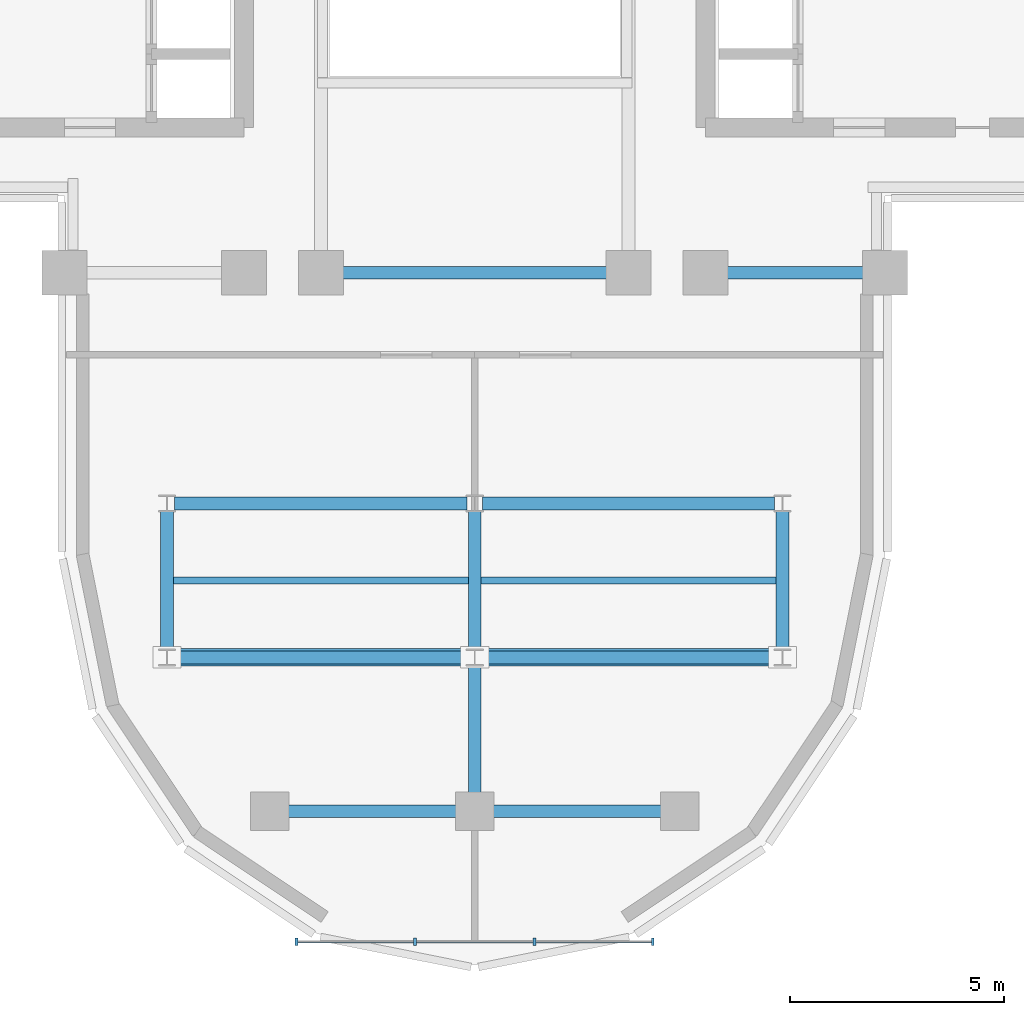
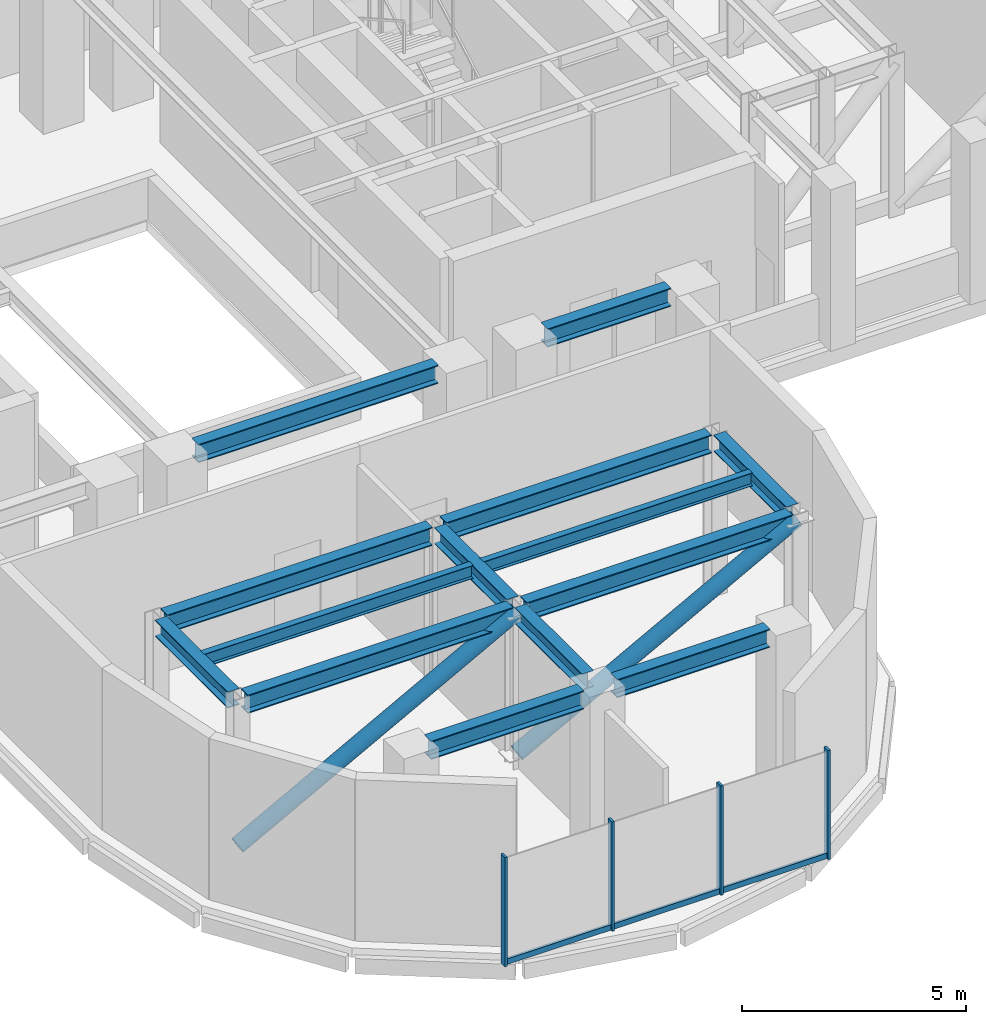
# One storey, part 2 of 11: 14 beams, 9 members, 1 element without a shape of its own.
"""IFC4 building model written with IfcOpenShell, lengths in metres."""

from ifc_helpers import new_model, si_unit, direction, frame, origin, origin_2d, place, context, subcontext, project, spatial, rectangle, hollow_circle, i_section, extrude, source, transform, mapped, material, material_profile, profile_set, type_object, element, aggregate, save


model = new_model("IFC4")

# Units and contexts
model_context = context("Model", 3, precision=1e-05, world=origin(), true_north=direction((0.0, 1.0)))
body_context = subcontext(model_context, "Body", "Model", "MODEL_VIEW")
ifc_project = project(units=[si_unit("LENGTHUNIT", "METRE"), si_unit("AREAUNIT", "SQUARE_METRE"), si_unit("VOLUMEUNIT", "CUBIC_METRE"), si_unit("PLANEANGLEUNIT", "RADIAN"), si_unit("MASSUNIT", "GRAM", prefix="KILO")], contexts=[model_context])

# Site, building, storey
site_placement = place(None, origin())
site = spatial("IfcSite", under=ifc_project, at=site_placement, CompositionType="ELEMENT")
building_placement = place(site_placement, origin())
building = spatial("IfcBuilding", under=site, at=building_placement, Name="Keilestroom Media Tower", CompositionType="ELEMENT")
storey_placement = place(building_placement, frame((0.0, 0.0, 151.60009765625)))
storey = spatial("IfcBuildingStorey", under=building, at=storey_placement, Name="L41", CompositionType="ELEMENT", Elevation=151.60009765625)

# Beams
ifc_material_1 = material(Name="Steel S355", Category="steel")
ifc_material_profile_1 = material_profile(ifc_material_1, i_section(OverallWidth=0.169921875, OverallDepth=0.360107421875, WebThickness=0.008056640625, FlangeThickness=0.0126953125, at=origin_2d()), Name="IPE 360")
ifc_profile_set_1 = profile_set([ifc_material_profile_1], Name="Steel S355")
beam_type_1 = type_object("IfcBeamType", Name="Secondary-Floor-Joist-IPE-360", PredefinedType="JOIST", material=ifc_profile_set_1)
shared_shape_1 = source(origin(), body_context, "Body", "SweptSolid", [
    extrude(i_section(OverallWidth=0.169921875, OverallDepth=0.360107421875, WebThickness=0.008056640625, FlangeThickness=0.0126953125, at=origin_2d()), origin(), (0.0, 0.0, 1.0), 6.940185546875),
])
for number, where, z_axis, x_axis, name in (
    (1, (-7.070068359375, -16.199951171875, 4.219970703125), (1.0, 0.0, 0.0), (0.0, 1.0, 0.0), "L41 Beam BJ-5 JST-L41-055"),
    (2, (0.1298828125, -16.199951171875, 4.219970703125), (1.0, 0.0, 0.0), (0.0, 1.0, 0.0), "L41 Beam BJ-5 JST-L41-056"),
):
    element("IfcBeam", number, at=place(storey_placement, frame(where, z_axis=z_axis, x_axis=x_axis)), inside=storey, type_object=beam_type_1, Name=name, PredefinedType="JOIST", context=body_context, shape_type="MappedRepresentation", body=[
        mapped(shared_shape_1, transform((0.0, 0.0, 0.0), x_axis=(1.0, 0.0, 0.0), y_axis=(0.0, 1.0, 0.0), z_axis=(0.0, 0.0, 1.0), scale=1.0)),
    ])
ifc_material_profile_2 = material_profile(ifc_material_1, i_section(OverallWidth=0.300048828125, OverallDepth=0.5, WebThickness=0.012451171875, FlangeThickness=0.028076171875, at=origin_2d()), Name="HEB 500")
ifc_profile_set_2 = profile_set([ifc_material_profile_2], Name="Steel S355")
beam_type_2 = type_object("IfcBeamType", Name="Primary-Structural-Girder-HEB-500", PredefinedType="BEAM", material=ifc_profile_set_2)
shared_shape_2 = source(origin(), body_context, "Body", "SweptSolid", [
    extrude(i_section(OverallWidth=0.300048828125, OverallDepth=0.5, WebThickness=0.012451171875, FlangeThickness=0.028076171875, at=origin_2d()), origin(), (0.0, 0.0, 1.0), 6.839111328125),
])
for number, where, z_axis, x_axis, name in (
    (3, (-7.01953125, -18.0, 4.14990234375), (1.0, 0.0, 0.0), (0.0, 1.0, 0.0), "L41 Beam BG-6 BM-L41-EW-003"),
    (4, (0.180419921875, -18.0, 4.14990234375), (1.0, 0.0, 0.0), (0.0, 1.0, 0.0), "L41 Beam BG-6 BM-L41-EW-004"),
    (5, (-7.01953125, -14.39990234375, 4.14990234375), (1.0, 0.0, 0.0), (0.0, 1.0, 0.0), "L41 Beam BG-6 BM-L41-EW-005"),
    (6, (0.180419921875, -14.39990234375, 4.14990234375), (1.0, 0.0, 0.0), (0.0, 1.0, 0.0), "L41 Beam BG-6 BM-L41-EW-006"),
):
    element("IfcBeam", number, at=place(storey_placement, frame(where, z_axis=z_axis, x_axis=x_axis)), inside=storey, type_object=beam_type_2, Name=name, PredefinedType="BEAM", context=body_context, shape_type="MappedRepresentation", body=[
        mapped(shared_shape_2, transform((0.0, 0.0, 0.0), x_axis=(1.0, 0.0, 0.0), y_axis=(0.0, 1.0, 0.0), z_axis=(0.0, 0.0, 1.0), scale=1.0)),
    ])
shared_shape_3 = source(origin(), body_context, "Body", "SweptSolid", [
    extrude(i_section(OverallWidth=0.300048828125, OverallDepth=0.5, WebThickness=0.012451171875, FlangeThickness=0.028076171875, at=origin_2d()), origin(), (0.0, 0.0, 1.0), 3.18994140625),
])
beam_1_placement = place(storey_placement, frame((5.905029296875, -9.0, 4.14990234375), z_axis=(1.0, 0.0, 0.0), x_axis=(0.0, 1.0, 0.0)))
element("IfcBeam", 7, at=beam_1_placement, inside=storey, type_object=beam_type_2, Name="L41 Beam BG-6 BM-L41-EW-011", PredefinedType="BEAM", context=body_context, shape_type="MappedRepresentation", body=[
    mapped(shared_shape_3, transform((0.0, 0.0, 0.0), x_axis=(1.0, 0.0, 0.0), y_axis=(0.0, 1.0, 0.0), z_axis=(0.0, 0.0, 1.0), scale=1.0)),
])
shared_shape_4 = source(origin(), body_context, "Body", "SweptSolid", [
    extrude(i_section(OverallWidth=0.300048828125, OverallDepth=0.5, WebThickness=0.012451171875, FlangeThickness=0.028076171875, at=origin_2d()), origin(), (0.0, 0.0, 1.0), 6.18994140625),
])
beam_2_placement = place(storey_placement, frame((-3.094970703125, -9.0, 4.14990234375), z_axis=(1.0, 0.0, 0.0), x_axis=(0.0, 1.0, 0.0)))
element("IfcBeam", 8, at=beam_2_placement, inside=storey, type_object=beam_type_2, Name="L41 Beam BG-6 BM-L41-EW-009", PredefinedType="BEAM", context=body_context, shape_type="MappedRepresentation", body=[
    mapped(shared_shape_4, transform((0.0, 0.0, 0.0), x_axis=(1.0, 0.0, 0.0), y_axis=(0.0, 1.0, 0.0), z_axis=(0.0, 0.0, 1.0), scale=1.0)),
])
ifc_material_profile_3 = material_profile(ifc_material_1, i_section(OverallWidth=0.300048828125, OverallDepth=0.43994140625, WebThickness=0.011474609375, FlangeThickness=0.02099609375, at=origin_2d()), Name="HEA 450")
ifc_profile_set_3 = profile_set([ifc_material_profile_3], Name="Steel S355")
beam_type_3 = type_object("IfcBeamType", Name="Primary-Structural-Girder-HEA-450", PredefinedType="BEAM", material=ifc_profile_set_3)
shared_shape_5 = source(origin(), body_context, "Body", "SweptSolid", [
    extrude(i_section(OverallWidth=0.300048828125, OverallDepth=0.43994140625, WebThickness=0.011474609375, FlangeThickness=0.02099609375, at=origin_2d()), origin(), (0.0, 0.0, 1.0), 3.240966796875),
])
for number, where, z_axis, x_axis, name in (
    (9, (-7.199951171875, -17.820556640625, 4.179931640625), (0.0, 1.0, 0.0), (-1.0, 0.0, 0.0), "L41 Beam BG-11 BM-L41-NS-037"),
    (10, (0.0, -17.820556640625, 4.179931640625), (0.0, 1.0, 0.0), (-1.0, 0.0, 0.0), "L41 Beam BG-11 BM-L41-NS-042"),
    (11, (7.199951171875, -17.820556640625, 4.179931640625), (0.0, 1.0, 0.0), (-1.0, 0.0, 0.0), "L41 Beam BG-11 BM-L41-NS-047"),
):
    element("IfcBeam", number, at=place(storey_placement, frame(where, z_axis=z_axis, x_axis=x_axis)), inside=storey, type_object=beam_type_3, Name=name, PredefinedType="BEAM", context=body_context, shape_type="MappedRepresentation", body=[
        mapped(shared_shape_5, transform((0.0, 0.0, 0.0), x_axis=(1.0, 0.0, 0.0), y_axis=(0.0, 1.0, 0.0), z_axis=(0.0, 0.0, 1.0), scale=1.0)),
    ])
shared_shape_6 = source(origin(), body_context, "Body", "SweptSolid", [
    extrude(i_section(OverallWidth=0.300048828125, OverallDepth=0.5, WebThickness=0.012451171875, FlangeThickness=0.028076171875, at=origin_2d()), origin(), (0.0, 0.0, 1.0), 3.940185546875),
])
for number, where, z_axis, x_axis, name in (
    (12, (-4.3701171875, -21.60009765625, 4.14990234375), (1.0, 0.0, 0.0), (0.0, 1.0, 0.0), "L41 Beam BG-6 BM-L41-EW-001"),
    (13, (0.429931640625, -21.60009765625, 4.14990234375), (1.0, 0.0, 0.0), (0.0, 1.0, 0.0), "L41 Beam BG-6 BM-L41-EW-002"),
):
    element("IfcBeam", number, at=place(storey_placement, frame(where, z_axis=z_axis, x_axis=x_axis)), inside=storey, type_object=beam_type_2, Name=name, PredefinedType="BEAM", context=body_context, shape_type="MappedRepresentation", body=[
        mapped(shared_shape_6, transform((0.0, 0.0, 0.0), x_axis=(1.0, 0.0, 0.0), y_axis=(0.0, 1.0, 0.0), z_axis=(0.0, 0.0, 1.0), scale=1.0)),
    ])
shared_shape_7 = source(origin(), body_context, "Body", "SweptSolid", [
    extrude(i_section(OverallWidth=0.300048828125, OverallDepth=0.43994140625, WebThickness=0.011474609375, FlangeThickness=0.02099609375, at=origin_2d()), origin(), (0.0, 0.0, 1.0), 2.990478515625),
])
beam_3_placement = place(storey_placement, frame((0.0, -21.169921875, 4.179931640625), z_axis=(0.0, 1.0, 0.0), x_axis=(-1.0, 0.0, 0.0)))
element("IfcBeam", 14, at=beam_3_placement, inside=storey, type_object=beam_type_3, Name="L41 Beam BG-11 BM-L41-NS-041", PredefinedType="BEAM", context=body_context, shape_type="MappedRepresentation", body=[
    mapped(shared_shape_7, transform((0.0, 0.0, 0.0), x_axis=(1.0, 0.0, 0.0), y_axis=(0.0, 1.0, 0.0), z_axis=(0.0, 0.0, 1.0), scale=1.0)),
])

# Members
ifc_material_2 = material(Name="Steel S460", Category="steel")
ifc_material_profile_4 = material_profile(ifc_material_2, hollow_circle(Radius=0.203125, WallThickness=0.01611328125, at=origin_2d()), Name="CHS 406.4x16")
ifc_profile_set_4 = profile_set([ifc_material_profile_4], Name="Steel S460")
member_type_1 = type_object("IfcMemberType", Name="Outrigger-And-Belt-Brace-CHS-406x16", PredefinedType="BRACE", material=ifc_profile_set_4)
shared_shape_8 = source(origin(), body_context, "Body", "SweptSolid", [
    extrude(hollow_circle(Radius=0.203125, WallThickness=0.01611328125, at=origin_2d()), origin(), (0.0, 0.0, 1.0), 8.174072265625),
])
for number, where, z_axis, x_axis, name in (
    (15, (-7.199951171875, -18.0, 0.27978515625), (0.880817079436, 0.0, 0.473456727246), (0.0, 1.0, 0.0), "L41 Belt Truss Brace BS1"),
    (16, (0.0, -18.0, 0.27978515625), (0.880817079436, 0.0, 0.473456727246), (0.0, 1.0, 0.0), "L41 Belt Truss Brace BS2"),
):
    element("IfcMember", number, at=place(storey_placement, frame(where, z_axis=z_axis, x_axis=x_axis)), inside=storey, type_object=member_type_1, Name=name, PredefinedType="BRACE", context=body_context, shape_type="MappedRepresentation", body=[
        mapped(shared_shape_8, transform((0.0, 0.0, 0.0), x_axis=(1.0, 0.0, 0.0), y_axis=(0.0, 1.0, 0.0), z_axis=(0.0, 0.0, 1.0), scale=1.0)),
    ])

# Curtain wall, members
ifc_material_3 = material(Name="Anodised Aluminium Alloy", Category="aluminium")
curtain_wall_type = type_object("IfcCurtainWallType", Name="Unitised-Curtain-Wall-CW-6", PredefinedType="NOTDEFINED", material=ifc_material_3)
curtain_wall_placement = place(storey_placement, origin())
curtain_wall = element("IfcCurtainWall", 17, at=curtain_wall_placement, inside=storey, type_object=curtain_wall_type, Name="L41 Curtain Wall CW-6 CW-L41-S", PredefinedType="NOTDEFINED")
ifc_material_profile_5 = material_profile(ifc_material_3, rectangle(XDim=0.06494140625, YDim=0.14990234375, at=origin_2d()), Name="ALU TRANSOM 65x150")
ifc_profile_set_5 = profile_set([ifc_material_profile_5], Name="Anodised Aluminium Alloy")
member_type_2 = type_object("IfcMemberType", Name="Curtain-Wall-Transom-CW-6", PredefinedType="USERDEFINED", material=ifc_profile_set_5)
shared_shape_9 = source(origin(), body_context, "Body", "SweptSolid", [
    extrude(rectangle(XDim=0.06494140625, YDim=0.14990234375, at=origin_2d()), origin(), (0.0, 0.0, 1.0), 2.70654296875),
])
member_1_placement = place(storey_placement, frame((-4.136962890625, -24.64990234375, 0.074951171875), z_axis=(1.0, 0.0, 0.0), x_axis=(0.0, 1.0, 0.0)))
member_1 = element("IfcMember", 18, at=member_1_placement, type_object=member_type_2, Name="CW-6 Transom 00.1", ObjectType="TRANSOM", PredefinedType="USERDEFINED", context=body_context, shape_type="MappedRepresentation", body=[
    mapped(shared_shape_9, transform((0.0, 0.0, 0.0), x_axis=(1.0, 0.0, 0.0), y_axis=(0.0, 1.0, 0.0), z_axis=(0.0, 0.0, 1.0), scale=1.0)),
])
member_2_placement = place(storey_placement, frame((1.430419921875, -24.64990234375, 0.074951171875), z_axis=(1.0, 0.0, 0.0), x_axis=(0.0, 1.0, 0.0)))
member_2 = element("IfcMember", 19, at=member_2_placement, type_object=member_type_2, Name="CW-6 Transom 02.1", ObjectType="TRANSOM", PredefinedType="USERDEFINED", context=body_context, shape_type="MappedRepresentation", body=[
    mapped(shared_shape_9, transform((0.0, 0.0, 0.0), x_axis=(1.0, 0.0, 0.0), y_axis=(0.0, 1.0, 0.0), z_axis=(0.0, 0.0, 1.0), scale=1.0)),
])
shared_shape_10 = source(origin(), body_context, "Body", "SweptSolid", [
    extrude(rectangle(XDim=0.06494140625, YDim=0.14990234375, at=origin_2d()), origin(), (0.0, 0.0, 1.0), 2.73876953125),
])
member_3_placement = place(storey_placement, frame((-1.369384765625, -24.64990234375, 0.074951171875), z_axis=(1.0, 0.0, 0.0), x_axis=(0.0, 1.0, 0.0)))
member_3 = element("IfcMember", 20, at=member_3_placement, type_object=member_type_2, Name="CW-6 Transom 01.1", ObjectType="TRANSOM", PredefinedType="USERDEFINED", context=body_context, shape_type="MappedRepresentation", body=[
    mapped(shared_shape_10, transform((0.0, 0.0, 0.0), x_axis=(1.0, 0.0, 0.0), y_axis=(0.0, 1.0, 0.0), z_axis=(0.0, 0.0, 1.0), scale=1.0)),
])
ifc_material_profile_6 = material_profile(ifc_material_3, rectangle(XDim=0.06494140625, YDim=0.179931640625, at=origin_2d()), Name="ALU MULLION 65x180")
ifc_profile_set_6 = profile_set([ifc_material_profile_6], Name="Anodised Aluminium Alloy")
member_type_3 = type_object("IfcMemberType", Name="Curtain-Wall-Mullion-CW-6", PredefinedType="MULLION", material=ifc_profile_set_6)
shared_shape_11 = source(origin(), body_context, "Body", "SweptSolid", [
    extrude(rectangle(XDim=0.06494140625, YDim=0.179931640625, at=origin_2d()), origin(), (0.0, 0.0, 1.0), 2.97998046875),
])
member_4_placement = place(storey_placement, frame((-4.16748046875, -24.64990234375, 0.0), z_axis=(0.0, 0.0, 1.0), x_axis=(1.0, 0.0, 0.0)))
member_4 = element("IfcMember", 21, at=member_4_placement, type_object=member_type_3, Name="CW-6 Mullion 00", PredefinedType="MULLION", context=body_context, shape_type="MappedRepresentation", body=[
    mapped(shared_shape_11, transform((0.0, 0.0, 0.0), x_axis=(1.0, 0.0, 0.0), y_axis=(0.0, 1.0, 0.0), z_axis=(0.0, 0.0, 1.0), scale=1.0)),
])
member_5_placement = place(storey_placement, frame((-1.39990234375, -24.64990234375, 0.0), z_axis=(0.0, 0.0, 1.0), x_axis=(1.0, 0.0, 0.0)))
member_5 = element("IfcMember", 22, at=member_5_placement, type_object=member_type_3, Name="CW-6 Mullion 01", PredefinedType="MULLION", context=body_context, shape_type="MappedRepresentation", body=[
    mapped(shared_shape_11, transform((0.0, 0.0, 0.0), x_axis=(1.0, 0.0, 0.0), y_axis=(0.0, 1.0, 0.0), z_axis=(0.0, 0.0, 1.0), scale=1.0)),
])
member_6_placement = place(storey_placement, frame((1.39990234375, -24.64990234375, 0.0), z_axis=(0.0, 0.0, 1.0), x_axis=(1.0, 0.0, 0.0)))
member_6 = element("IfcMember", 23, at=member_6_placement, type_object=member_type_3, Name="CW-6 Mullion 02", PredefinedType="MULLION", context=body_context, shape_type="MappedRepresentation", body=[
    mapped(shared_shape_11, transform((0.0, 0.0, 0.0), x_axis=(1.0, 0.0, 0.0), y_axis=(0.0, 1.0, 0.0), z_axis=(0.0, 0.0, 1.0), scale=1.0)),
])
member_7_placement = place(storey_placement, frame((4.16748046875, -24.64990234375, 0.0), z_axis=(0.0, 0.0, 1.0), x_axis=(1.0, 0.0, 0.0)))
member_7 = element("IfcMember", 24, at=member_7_placement, type_object=member_type_3, Name="CW-6 Mullion 03", PredefinedType="MULLION", context=body_context, shape_type="MappedRepresentation", body=[
    mapped(shared_shape_11, transform((0.0, 0.0, 0.0), x_axis=(1.0, 0.0, 0.0), y_axis=(0.0, 1.0, 0.0), z_axis=(0.0, 0.0, 1.0), scale=1.0)),
])
aggregate(curtain_wall, [member_4, member_5, member_6, member_7, member_1, member_3, member_2])

save(model, "model.ifc")
